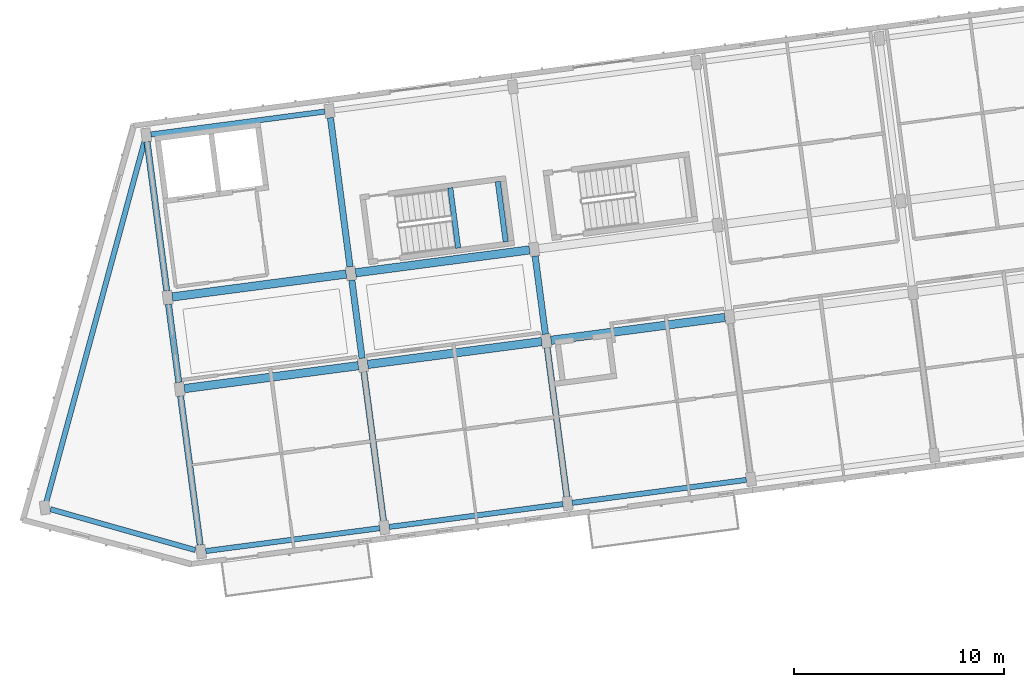
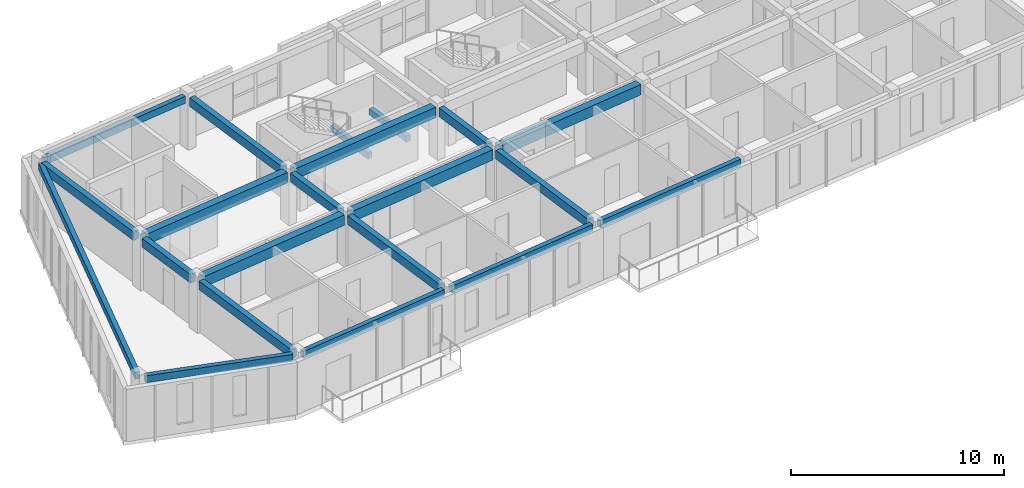
# One storey, part 3 of 56: 21 beams.
"""IFC4 building model written with IfcOpenShell, lengths in metres."""

from ifc_helpers import new_model, si_unit, direction, frame, origin, origin_2d, place, context, subcontext, project, spatial, rectangle, extrude, material, material_profile, profile_set, type_object, element, save


model = new_model("IFC4")

# Units and contexts
model_context = context("Model", 3, precision=1e-05, world=origin(), true_north=direction((0.0, 1.0)))
body_context = subcontext(model_context, "Body", "Model", "MODEL_VIEW")
ifc_project = project(units=[si_unit("LENGTHUNIT", "METRE"), si_unit("AREAUNIT", "SQUARE_METRE"), si_unit("VOLUMEUNIT", "CUBIC_METRE"), si_unit("PLANEANGLEUNIT", "RADIAN"), si_unit("MASSUNIT", "GRAM", prefix="KILO")], contexts=[model_context])

# Site, building, storey
site_placement = place(None, origin())
site = spatial("IfcSite", under=ifc_project, at=site_placement, CompositionType="ELEMENT")
building_placement = place(site_placement, origin())
building = spatial("IfcBuilding", under=site, at=building_placement, Name="Kestramere Prow Commons", CompositionType="ELEMENT")
storey_placement = place(building_placement, frame((0.0, 0.0, 27.89990234375)))
storey = spatial("IfcBuildingStorey", under=building, at=storey_placement, Name="L08", CompositionType="ELEMENT", Elevation=27.89990234375)

# Beams
ifc_material_1 = material(Name="Precast concrete C40/50", Category="concrete")
ifc_material_profile_1 = material_profile(ifc_material_1, rectangle(XDim=0.39990234375, YDim=0.60009765625, at=origin_2d()), Name="PC-BM 400x600")
ifc_profile_set_1 = profile_set([ifc_material_profile_1], Name="Precast concrete C40/50")
beam_type_1 = type_object("IfcBeamType", Name="BM-A1 PC-BM 400x600", PredefinedType="BEAM", material=ifc_profile_set_1)
for number, where, z_axis, x_axis, name in (
    (1, (10.405029296875, 79.7626953125, 2.7001953125), (0.991445635283, 0.13052031366, 0.0), (-0.13052031366, 0.991445635283, 0.0), "Block A L08 Longitudinal Beam 2-1"),
    (2, (19.129638671875, 80.911376953125, 2.7001953125), (0.991445635283, 0.13052031366, 0.0), (-0.13052031366, 0.991445635283, 0.0), "Block A L08 Longitudinal Beam 2-2"),
    (3, (27.8544921875, 82.059814453125, 2.7001953125), (0.991441851318, 0.130549053825, 0.0), (-0.130549053825, 0.991441851318, 0.0), "Block A L08 Longitudinal Beam 2-3"),
    (4, (9.83056640625, 84.125, 2.7001953125), (0.991445635283, 0.13052031366, 0.0), (-0.13052031366, 0.991445635283, 0.0), "Block A L08 Longitudinal Beam 3-1"),
    (5, (18.555419921875, 85.273681640625, 2.7001953125), (0.991445635283, 0.13052031366, 0.0), (-0.13052031366, 0.991445635283, 0.0), "Block A L08 Longitudinal Beam 3-2"),
):
    element("IfcBeam", number, at=place(storey_placement, frame(where, z_axis=z_axis, x_axis=x_axis)), inside=storey, type_object=beam_type_1, Name=name, PredefinedType="BEAM", context=body_context, shape_type="SweptSolid", body=[
        extrude(rectangle(XDim=0.39990234375, YDim=0.60009765625, at=origin_2d()), origin(), (0.0, 0.0, 1.0), 8.35009765625),
    ])
ifc_material_2 = material(Name="Concrete C40/50", Category="concrete")
ifc_material_profile_2 = material_profile(ifc_material_2, rectangle(XDim=0.25, YDim=0.35009765625, at=origin_2d()), Name="PC-BM 250x350")
ifc_profile_set_2 = profile_set([ifc_material_profile_2], Name="Concrete C40/50")
beam_type_2 = type_object("IfcBeamType", Name="BM-ST-TRIM", PredefinedType="BEAM", material=ifc_profile_set_2)
for number, where, z_axis, x_axis, name in (
    (6, (23.4384765625, 86.451171875, 1.25), (-0.130520071219, 0.9914456672, 0.0), (-0.9914456672, -0.130520071219, 0.0), "ST-A1 L08 Landing Trimmer Beam 1A"),
    (7, (25.698974609375, 86.748779296875, 1.25), (-0.130520071219, 0.9914456672, 0.0), (-0.9914456672, -0.130520071219, 0.0), "ST-A1 L08 Landing Trimmer Beam 1B"),
):
    element("IfcBeam", number, at=place(storey_placement, frame(where, z_axis=z_axis, x_axis=x_axis)), inside=storey, type_object=beam_type_2, Name=name, PredefinedType="BEAM", context=body_context, shape_type="SweptSolid", body=[
        extrude(rectangle(XDim=0.25, YDim=0.35009765625, at=origin_2d()), origin(), (0.0, 0.0, 1.0), 2.889892578125),
    ])
ifc_material_profile_3 = material_profile(ifc_material_1, rectangle(XDim=0.300048828125, YDim=0.5, at=origin_2d()), Name="PC-BM 300x500")
ifc_profile_set_3 = profile_set([ifc_material_profile_3], Name="Precast concrete C40/50")
beam_type_3 = type_object("IfcBeamType", Name="BM-TIE-01 PC-BM 300x500", PredefinedType="BEAM", material=ifc_profile_set_3)
beam_1_placement = place(storey_placement, frame((11.157470703125, 72.322265625, 2.75), z_axis=(-0.130503975686, 0.991447785983, 0.0), x_axis=(-0.991447785983, -0.130503975686, 0.0)))
element("IfcBeam", 8, at=beam_1_placement, inside=storey, type_object=beam_type_3, Name="Block A L08 Transverse Beam 1-1", PredefinedType="BEAM", context=body_context, shape_type="SweptSolid", body=[
    extrude(rectangle(XDim=0.300048828125, YDim=0.5, at=origin_2d()), origin(), (0.0, 0.0, 1.0), 7.14990234375),
])
beam_2_placement = place(storey_placement, frame((10.139404296875, 80.055419921875, 2.75), z_axis=(-0.130530295097, 0.991444321211, 0.0), x_axis=(-0.991444321211, -0.130530295097, 0.0)))
element("IfcBeam", 9, at=beam_2_placement, inside=storey, type_object=beam_type_3, Name="Block A L08 Transverse Beam 1-2", PredefinedType="BEAM", context=body_context, shape_type="SweptSolid", body=[
    extrude(rectangle(XDim=0.300048828125, YDim=0.5, at=origin_2d()), origin(), (0.0, 0.0, 1.0), 3.75),
])
for number, where, z_axis, x_axis, name in (
    (10, (9.565185546875, 84.41796875, 2.75), (-0.130541958643, 0.991442785557, 0.0), (-0.991442785557, -0.130541958643, 0.0), "Block A L08 Transverse Beam 1-3"),
    (11, (19.88232421875, 73.470947265625, 2.75), (-0.130541958643, 0.991442785557, 0.0), (-0.991442785557, -0.130541958643, 0.0), "Block A L08 Transverse Beam 2-1"),
):
    element("IfcBeam", number, at=place(storey_placement, frame(where, z_axis=z_axis, x_axis=x_axis)), inside=storey, type_object=beam_type_3, Name=name, PredefinedType="BEAM", context=body_context, shape_type="SweptSolid", body=[
        extrude(rectangle(XDim=0.300048828125, YDim=0.5, at=origin_2d()), origin(), (0.0, 0.0, 1.0), 7.14990234375),
    ])
beam_3_placement = place(storey_placement, frame((18.8642578125, 81.2041015625, 2.75), z_axis=(-0.130530295097, 0.991444321211, 0.0), x_axis=(-0.991444321211, -0.130530295097, 0.0)))
element("IfcBeam", 12, at=beam_3_placement, inside=storey, type_object=beam_type_3, Name="Block A L08 Transverse Beam 2-2", PredefinedType="BEAM", context=body_context, shape_type="SweptSolid", body=[
    extrude(rectangle(XDim=0.300048828125, YDim=0.5, at=origin_2d()), origin(), (0.0, 0.0, 1.0), 3.75),
])
for number, where, z_axis, x_axis, name in (
    (13, (18.289794921875, 85.56640625, 2.75), (-0.130503975686, 0.991447785983, 0.0), (-0.991447785983, -0.130503975686, 0.0), "Block A L08 Transverse Beam 2-3"),
    (14, (28.60693359375, 74.619384765625, 2.75), (-0.130503975686, 0.991447785983, 0.0), (-0.991447785983, -0.130503975686, 0.0), "Block A L08 Transverse Beam 3-1"),
):
    element("IfcBeam", number, at=place(storey_placement, frame(where, z_axis=z_axis, x_axis=x_axis)), inside=storey, type_object=beam_type_3, Name=name, PredefinedType="BEAM", context=body_context, shape_type="SweptSolid", body=[
        extrude(rectangle(XDim=0.300048828125, YDim=0.5, at=origin_2d()), origin(), (0.0, 0.0, 1.0), 7.14990234375),
    ])
beam_4_placement = place(storey_placement, frame((27.5888671875, 82.352783203125, 2.75), z_axis=(-0.130538720766, 0.991443211879, 0.0), x_axis=(-0.991443211879, -0.130538720766, 0.0)))
element("IfcBeam", 15, at=beam_4_placement, inside=storey, type_object=beam_type_3, Name="Block A L08 Transverse Beam 3-2", PredefinedType="BEAM", context=body_context, shape_type="SweptSolid", body=[
    extrude(rectangle(XDim=0.300048828125, YDim=0.5, at=origin_2d()), origin(), (0.0, 0.0, 1.0), 3.749755859375),
])
ifc_material_profile_4 = material_profile(ifc_material_1, rectangle(XDim=0.25, YDim=0.39990234375, at=origin_2d()), Name="PC-SP 250x400")
ifc_profile_set_4 = profile_set([ifc_material_profile_4], Name="Precast concrete C40/50")
beam_type_4 = type_object("IfcBeamType", Name="SP-EXT-01 PC-SP 250x400", PredefinedType="SPANDREL", material=ifc_profile_set_4)
beam_5_placement = place(storey_placement, frame((10.930419921875, 72.075927734375, 2.800048828125), z_axis=(-0.96246176941, 0.271417284681, 0.0), x_axis=(-0.271417284681, -0.96246176941, 0.0)))
element("IfcBeam", 16, at=beam_5_placement, inside=storey, type_object=beam_type_4, Name="Block A L08 Prow Facet Beam S", PredefinedType="SPANDREL", context=body_context, shape_type="SweptSolid", body=[
    extrude(rectangle(XDim=0.25, YDim=0.39990234375, at=origin_2d()), origin(), (0.0, 0.0, 1.0), 7.167236328125),
])
beam_6_placement = place(storey_placement, frame((8.515869140625, 91.558837890625, 2.800048828125), z_axis=(-0.262653591278, -0.964890196338, 0.0), x_axis=(0.964890196338, -0.262653591278, 0.0)))
element("IfcBeam", 17, at=beam_6_placement, inside=storey, type_object=beam_type_4, Name="Block A L08 Prow Facet Beam N", PredefinedType="SPANDREL", context=body_context, shape_type="SweptSolid", body=[
    extrude(rectangle(XDim=0.25, YDim=0.39990234375, at=origin_2d()), origin(), (0.0, 0.0, 1.0), 17.81689453125),
])
for number, where, z_axis, x_axis, name in (
    (18, (11.423095703125, 72.029296875, 2.800048828125), (0.991445635283, 0.13052031366, 0.0), (-0.13052031366, 0.991445635283, 0.0), "Block A L08 Longitudinal Beam 1-1"),
    (19, (20.147705078125, 73.177978515625, 2.800048828125), (0.991445635283, 0.13052031366, 0.0), (-0.13052031366, 0.991445635283, 0.0), "Block A L08 Longitudinal Beam 1-2"),
    (20, (28.87255859375, 74.32666015625, 2.800048828125), (0.991445635283, 0.13052031366, 0.0), (-0.13052031366, 0.991445635283, 0.0), "Block A L08 Longitudinal Beam 1-3"),
    (21, (8.8125, 91.858154296875, 2.800048828125), (0.991441851318, 0.130549053825, 0.0), (-0.130549053825, 0.991441851318, 0.0), "Block A L08 Longitudinal Beam 4-1"),
):
    element("IfcBeam", number, at=place(storey_placement, frame(where, z_axis=z_axis, x_axis=x_axis)), inside=storey, type_object=beam_type_4, Name=name, PredefinedType="SPANDREL", context=body_context, shape_type="SweptSolid", body=[
        extrude(rectangle(XDim=0.25, YDim=0.39990234375, at=origin_2d()), origin(), (0.0, 0.0, 1.0), 8.35009765625),
    ])

save(model, "model.ifc")
